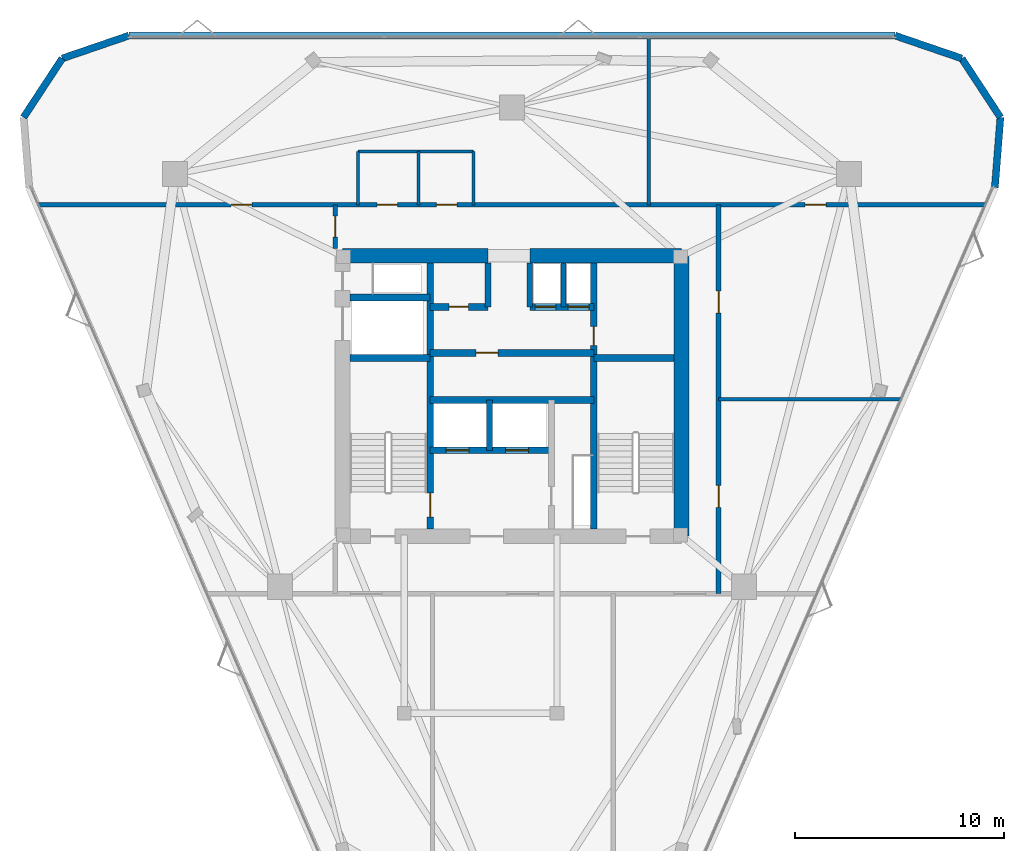
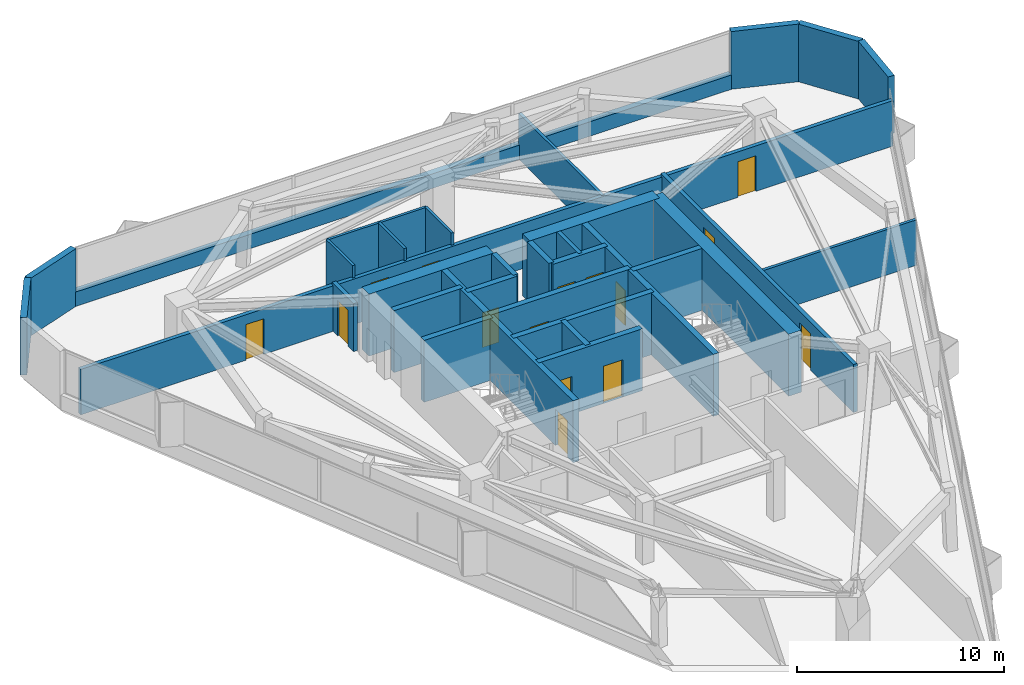
# One storey, part 9 of 11: 32 walls, 15 doors, 15 openings.
"""IFC4 building model written with IfcOpenShell, lengths in metres."""

import ifcopenshell
import ifcopenshell.guid

model = None  # the IFC model being written
_history = None  # IfcOwnerHistory: only IFC2X3 demands one
_inside = {}  # id of a spatial element -> (the spatial element, [elements in it])
_under = {}  # id of a project, library or spatial element -> (it, [spatial elements below it])
_declared = {}  # id of a project -> (the project, [libraries it declares])
_typed = {}  # id of a type object -> (the type object, [elements of that type])
_made_of = {}  # id of a material, layer set ... -> (it, [elements and type objects made of it])


def new_model(schema):
    """Start an empty IFC model of exactly this schema.

    Asked for "IFC4X3", IfcOpenShell would pick the latest addendum, in which some entities
    have other attributes; the version numbers below select the first issue.
    IFC2X3 requires an IfcOwnerHistory on every rooted entity: one is made here for all.
    """
    global model, _history
    if schema == "IFC4X3":
        model = ifcopenshell.file(schema_version=(4, 3, 0, 0))
    else:
        model = ifcopenshell.file(schema=schema)
    _inside.clear()
    _under.clear()
    _declared.clear()
    _typed.clear()
    _made_of.clear()
    _history = None
    if model.schema == "IFC2X3":
        org = make("IfcOrganization", Name="unknown")
        user = make(
            "IfcPersonAndOrganization",
            ThePerson=make("IfcPerson", FamilyName="unknown"),
            TheOrganization=org,
        )
        app = make(
            "IfcApplication",
            ApplicationDeveloper=org,
            Version="unknown",
            ApplicationFullName="unknown",
            ApplicationIdentifier="unknown",
        )
        _history = make(
            "IfcOwnerHistory",
            OwningUser=user,
            OwningApplication=app,
            ChangeAction="ADDED",
            CreationDate=0,
        )
    return model


def make(cls, **values):
    """One entity of the class cls with the attributes given. An attribute that is None is left unset."""
    return model.create_entity(
        cls, **{name: value for name, value in values.items() if value is not None}
    )


def rooted(cls, **values):
    """An entity with a GlobalId (a new one), such as an element, a storey or a relation."""
    return make(cls, GlobalId=ifcopenshell.guid.new(), OwnerHistory=_history, **values)


def si_unit(unit_type, name, prefix=None):
    """IfcSIUnit, for example si_unit("LENGTHUNIT", "METRE", prefix="MILLI")."""
    return make("IfcSIUnit", UnitType=unit_type, Prefix=prefix, Name=name)


def assignment(units):
    """IfcUnitAssignment: the units of a project."""
    return None if units is None else make("IfcUnitAssignment", Units=units)


def point(xyz):
    """IfcCartesianPoint."""
    return None if xyz is None else make("IfcCartesianPoint", Coordinates=xyz)


def direction(xyz):
    """IfcDirection."""
    return None if xyz is None else make("IfcDirection", DirectionRatios=xyz)


def frame(location, z_axis=None, x_axis=None):
    """IfcAxis2Placement3D, a coordinate frame: its origin and axes. An axis left out is left unset."""
    return make(
        "IfcAxis2Placement3D",
        Location=point(location),
        Axis=direction(z_axis),
        RefDirection=direction(x_axis),
    )


def frame_2d(location, x_axis=None):
    """IfcAxis2Placement2D, a coordinate frame in the plane: its origin and x axis."""
    return make(
        "IfcAxis2Placement2D", Location=point(location), RefDirection=direction(x_axis)
    )


def origin():
    """The frame at (0, 0, 0) with its axes left unset."""
    return frame((0.0, 0.0, 0.0))


def place(relative_to, where):
    """IfcLocalPlacement: puts the frame where relative to a parent placement (None: the world)."""
    return make(
        "IfcLocalPlacement", PlacementRelTo=relative_to, RelativePlacement=where
    )


def context(
    kind, dimensions, precision=None, world=None, true_north=None, identifier=None
):
    """IfcGeometricRepresentationContext, for example the 3D "Model" context."""
    return make(
        "IfcGeometricRepresentationContext",
        ContextIdentifier=identifier,
        ContextType=kind,
        CoordinateSpaceDimension=dimensions,
        Precision=precision,
        WorldCoordinateSystem=world,
        TrueNorth=true_north,
    )


def subcontext(parent, identifier, kind, view, scale=None):
    """IfcGeometricRepresentationSubContext, for example "Body" below "Model"."""
    return make(
        "IfcGeometricRepresentationSubContext",
        ContextIdentifier=identifier,
        ContextType=kind,
        ParentContext=parent,
        TargetScale=scale,
        TargetView=view,
    )


def project(units=None, contexts=None):
    """IfcProject with its units and contexts."""
    return rooted(
        "IfcProject",
        Name="project",
        RepresentationContexts=contexts,
        UnitsInContext=assignment(units),
    )


def spatial(cls, under=None, at=None, **own):
    """A site, building, storey or space (cls), placed at a placement, below another one or the project."""
    s = rooted(cls, ObjectPlacement=at, **own)
    if under is not None:
        _under.setdefault(under.id(), (under, []))[1].append(s)
    return s


def profile(cls, at=None, kind="AREA", **sizes):
    """A parametric profile (cls). Its sizes go by their IFC names, for example OverallWidth=200.0."""
    return make(cls, ProfileType=kind, Position=at, **sizes)


def rectangle(**sizes):
    """IfcRectangleProfileDef."""
    return profile("IfcRectangleProfileDef", **sizes)


def extrude(swept, where, along, depth):
    """IfcExtrudedAreaSolid: the profile swept, set in the frame where, extruded along a direction by depth."""
    return make(
        "IfcExtrudedAreaSolid",
        SweptArea=swept,
        Position=where,
        ExtrudedDirection=direction(along),
        Depth=depth,
    )


def shape(context_of_items, identifier, shape_type, items):
    """IfcShapeRepresentation: the items that make up one representation, for example the "Body"."""
    return make(
        "IfcShapeRepresentation",
        ContextOfItems=context_of_items,
        RepresentationIdentifier=identifier,
        RepresentationType=shape_type,
        Items=items,
    )


def material(Name=None, Category=None):
    """IfcMaterial."""
    return make("IfcMaterial", Name=Name, Category=Category)


def layer(
    of_material, thickness, ventilated=None, Name=None, Category=None, Priority=None
):
    """IfcMaterialLayer: one layer of a wall or slab, of a material (None: an air gap)."""
    return make(
        "IfcMaterialLayer",
        Material=of_material,
        LayerThickness=thickness,
        IsVentilated=ventilated,
        Name=Name,
        Category=Category,
        Priority=Priority,
    )


def layer_set(layers, Name=None):
    """IfcMaterialLayerSet."""
    return make("IfcMaterialLayerSet", MaterialLayers=layers, LayerSetName=Name)


def made_of(thing, what):
    """Note that an element or type object is made of a material, layer set ...; save() writes the relation."""
    if what is not None:
        _made_of.setdefault(what.id(), (what, []))[1].append(thing)
    return thing


def type_object(cls, material=None, **own):
    """A type object (cls), such as IfcWallType, which elements share."""
    return made_of(rooted(cls, **own), material)


def element(
    cls,
    number,
    at=None,
    inside=None,
    cuts=None,
    type_object=None,
    material=None,
    context=None,
    identifier="Body",
    shape_type=None,
    held_by="IfcProductDefinitionShape",
    body=None,
    shapes=None,
    **own,
):
    """One element of the class cls, such as IfcWall. Its Tag is "e" and its number.

    at: its placement. inside: the storey or other place that contains it. cuts: it is an
    opening in that element (IfcRelVoidsElement). A single representation is given by context,
    identifier, shape_type and body (its items); several are given by shapes. held_by: the class
    of the entity that holds the representations. save() writes the other relations.
    """
    e = rooted(cls, Tag="e%d" % number, ObjectPlacement=at, **own)
    if body is not None:
        shapes = [shape(context, identifier, shape_type, body)]
    if shapes is not None:
        e.Representation = make(held_by, Representations=shapes)
    if inside is not None:
        _inside.setdefault(inside.id(), (inside, []))[1].append(e)
    if cuts is not None:
        rooted(
            "IfcRelVoidsElement", RelatingBuildingElement=cuts, RelatedOpeningElement=e
        )
    if type_object is not None:
        _typed.setdefault(type_object.id(), (type_object, []))[1].append(e)
    return made_of(e, material)


def fill(opening, filler):
    """IfcRelFillsElement: the door or window that sits in an opening."""
    return rooted(
        "IfcRelFillsElement",
        RelatingOpeningElement=opening,
        RelatedBuildingElement=filler,
    )


def aggregate(whole, parts):
    """IfcRelAggregates: a whole, such as a stair, and the parts it consists of."""
    return rooted("IfcRelAggregates", RelatingObject=whole, RelatedObjects=parts)


def save(model, path):
    """Write the relations noted so far, then the file.

    IfcRelAggregates (storeys below a building ...), IfcRelContainedInSpatialStructure (elements
    in a storey), IfcRelDefinesByType, IfcRelAssociatesMaterial and IfcRelDeclares: one each for
    every whole, place, type object, material and project.
    """
    for whole, parts in _under.values():
        aggregate(whole, parts)
    for where, things in _inside.values():
        rooted(
            "IfcRelContainedInSpatialStructure",
            RelatedElements=things,
            RelatingStructure=where,
        )
    for kind, things in _typed.values():
        rooted("IfcRelDefinesByType", RelatedObjects=things, RelatingType=kind)
    for what, things in _made_of.values():
        rooted("IfcRelAssociatesMaterial", RelatedObjects=things, RelatingMaterial=what)
    for by, libraries in _declared.values():
        rooted("IfcRelDeclares", RelatingContext=by, RelatedDefinitions=libraries)
    model.write(path)


model = new_model("IFC4")

# Units and contexts
model_context = context("Model", 3, precision=1e-05, world=origin(), true_north=direction((0.0, 1.0)))
body_context = subcontext(model_context, "Body", "Model", "MODEL_VIEW")
ifc_project = project(units=[si_unit("LENGTHUNIT", "METRE"), si_unit("AREAUNIT", "SQUARE_METRE"), si_unit("VOLUMEUNIT", "CUBIC_METRE"), si_unit("PLANEANGLEUNIT", "RADIAN"), si_unit("MASSUNIT", "GRAM", prefix="KILO")], contexts=[model_context])

# Site, building, storey
site_placement = place(None, origin())
site = spatial("IfcSite", under=ifc_project, at=site_placement, CompositionType="ELEMENT")
building_placement = place(site_placement, origin())
building = spatial("IfcBuilding", under=site, at=building_placement, Name="Talyreon Biosciences Tower", CompositionType="ELEMENT")
storey_placement = place(building_placement, frame((0.0, 0.0, 249.85009765625)))
storey = spatial("IfcBuildingStorey", under=building, at=storey_placement, Name="L66", CompositionType="ELEMENT", Elevation=249.85009765625)

# Walls
ifc_material_1 = material(Name="Concrete C50/60", Category="concrete")
ifc_layer_1 = layer(ifc_material_1, 0.219970703125)
ifc_layer_set_1 = layer_set([ifc_layer_1], Name="Concrete C50/60")
wall_type_1 = type_object("IfcWallType", Name="CoreShearWall_220", PredefinedType="SHEAR", material=ifc_layer_set_1)
wall_1_placement = place(storey_placement, frame((68.4599609375, 72.25, 0.0), z_axis=(0.0, 0.0, 1.0), x_axis=(0.0, 1.0, 0.0)))
element("IfcWall", 1, at=wall_1_placement, inside=storey, type_object=wall_type_1, Name="L66 Core Shaft Wall SWPHD", PredefinedType="SHEAR", context=body_context, shape_type="SweptSolid", body=[
    extrude(rectangle(XDim=2.10009765625, YDim=0.219970703125, at=frame_2d((1.050048828125, 0.0))), origin(), (0.0, 0.0, 1.0), 3.64990234375),
])
ifc_layer_2 = layer(ifc_material_1, 0.280029296875)
ifc_layer_set_2 = layer_set([ifc_layer_2], Name="Concrete C50/60")
wall_type_2 = type_object("IfcWallType", Name="CoreShearWall_280", PredefinedType="SHEAR", material=ifc_layer_set_2)
wall_2_placement = place(storey_placement, frame((64.919921875, 65.39990234375, 0.0), z_axis=(0.0, 0.0, 1.0), x_axis=(0.0, 1.0, 0.0)))
element("IfcWall", 2, at=wall_2_placement, inside=storey, type_object=wall_type_2, Name="L66 Core Shaft Wall SWSHD1", PredefinedType="SHEAR", context=body_context, shape_type="SweptSolid", body=[
    extrude(rectangle(XDim=2.400146484375, YDim=0.280029296875, at=frame_2d((1.2001953125, 0.0))), origin(), (0.0, 0.0, 1.0), 3.64990234375),
])
for number, where, z_axis, x_axis, name in (
    (3, (64.85009765625, 72.25, 0.0), (0.0, 0.0, 1.0), (0.0, 1.0, 0.0), "L66 Core Shaft Wall SWTHW"),
    (4, (66.85009765625, 72.25, 0.0), (0.0, 0.0, 1.0), (0.0, 1.0, 0.0), "L66 Core Shaft Wall SWTHE"),
):
    element("IfcWall", number, at=place(storey_placement, frame(where, z_axis=z_axis, x_axis=x_axis)), inside=storey, type_object=wall_type_2, Name=name, PredefinedType="SHEAR", context=body_context, shape_type="SweptSolid", body=[
        extrude(rectangle(XDim=2.10009765625, YDim=0.280029296875, at=frame_2d((1.050048828125, 0.0))), origin(), (0.0, 0.0, 1.0), 3.64990234375),
    ])

# Wall, opening, door
ifc_layer_3 = layer(ifc_material_1, 0.320068359375)
ifc_layer_set_3 = layer_set([ifc_layer_3], Name="Concrete C50/60")
wall_type_3 = type_object("IfcWallType", Name="CoreShearWall_320", PredefinedType="SHEAR", material=ifc_layer_set_3)
wall_3_placement = place(storey_placement, frame((62.090087890625, 61.64990234375, 0.0), z_axis=(0.0, 0.0, 1.0), x_axis=(0.0, 1.0, 0.0)))
wall_3 = element("IfcWall", 5, at=wall_3_placement, inside=storey, type_object=wall_type_3, Name="L66 Core Shaft Wall SW1E", PredefinedType="SHEAR", context=body_context, shape_type="SweptSolid", body=[
    extrude(rectangle(XDim=12.7001953125, YDim=0.320068359375, at=frame_2d((6.35009765625, 0.0))), origin(), (0.0, 0.0, 1.0), 3.64990234375),
])
opening_1_placement = place(wall_3_placement, frame((0.550048828125, 0.0, 0.0)))
opening_1 = element("IfcOpeningElement", 6, at=opening_1_placement, cuts=wall_3, Name="Opening DR-L66-FF-ST1", PredefinedType="OPENING", context=body_context, shape_type="SweptSolid", body=[
    extrude(rectangle(XDim=1.14990234375, YDim=2.14990234375, at=frame_2d((0.574951171875, 1.074951171875))), frame((0.0, 0.169921875, 0.0), z_axis=(0.0, -1.0, 0.0), x_axis=(1.0, 0.0, 0.0)), (0.0, 0.0, 1.0), 0.340087890625),
])
ifc_material_2 = material(Name="Painted steel fire door", Category="steel")
door_type_1 = type_object("IfcDoorType", Name="StairShaftFireDoor_1150x2150", OperationType="NOTDEFINED", PredefinedType="DOOR", material=ifc_material_2)
door_1_placement = place(opening_1_placement, origin())
door_1 = element("IfcDoor", 7, at=door_1_placement, inside=storey, type_object=door_type_1, Name="L66 Core Door DR-L66-FF-ST1", OperationType="SINGLE_SWING_LEFT", OverallHeight=2.14990234375, OverallWidth=1.14990234375, PredefinedType="DOOR", context=body_context, shape_type="SweptSolid", body=[
    extrude(rectangle(XDim=1.14990234375, YDim=2.14990234375, at=frame_2d((0.574951171875, 1.074951171875))), frame((0.0, 0.02490234375, 0.0), z_axis=(0.0, -1.0, 0.0), x_axis=(1.0, 0.0, 0.0)), (0.0, 0.0, 1.0), 0.050048828125),
])
fill(opening_1, door_1)

wall_4_placement = place(storey_placement, frame((69.909912109375, 61.64990234375, 0.0), z_axis=(0.0, 0.0, 1.0), x_axis=(0.0, 1.0, 0.0)))
wall_4 = element("IfcWall", 8, at=wall_4_placement, inside=storey, type_object=wall_type_3, Name="L66 Core Shaft Wall SW2W", PredefinedType="SHEAR", context=body_context, shape_type="SweptSolid", body=[
    extrude(rectangle(XDim=12.7001953125, YDim=0.320068359375, at=frame_2d((6.35009765625, 0.0))), origin(), (0.0, 0.0, 1.0), 3.64990234375),
])
opening_2_placement = place(wall_4_placement, frame((8.75, 0.0, 0.0)))
opening_2 = element("IfcOpeningElement", 9, at=opening_2_placement, cuts=wall_4, Name="Opening DR-L66-CSRV", PredefinedType="OPENING", context=body_context, shape_type="SweptSolid", body=[
    extrude(rectangle(XDim=0.919921875, YDim=2.050048828125, at=frame_2d((0.4599609375, 1.02490234375))), frame((0.0, 0.169921875, 0.0), z_axis=(0.0, -1.0, 0.0), x_axis=(1.0, 0.0, 0.0)), (0.0, 0.0, 1.0), 0.340087890625),
])
ifc_material_3 = material(Name="Painted steel fire-rated riser door", Category="steel")
door_type_2 = type_object("IfcDoorType", Name="RiserPlantAccessDoor_920x2050", OperationType="NOTDEFINED", PredefinedType="DOOR", material=ifc_material_3)
door_2_placement = place(opening_2_placement, origin())
door_2 = element("IfcDoor", 10, at=door_2_placement, inside=storey, type_object=door_type_2, Name="L66 Core Door DR-L66-CSRV", OperationType="SINGLE_SWING_RIGHT", OverallHeight=2.050048828125, OverallWidth=0.919921875, PredefinedType="DOOR", context=body_context, shape_type="SweptSolid", body=[
    extrude(rectangle(XDim=0.919921875, YDim=2.050048828125, at=frame_2d((0.4599609375, 1.02490234375))), frame((0.0, 0.02490234375, 0.0), z_axis=(0.0, -1.0, 0.0), x_axis=(1.0, 0.0, 0.0)), (0.0, 0.0, 1.0), 0.050048828125),
])
fill(opening_2, door_2)

# Walls
for number, where, z_axis, x_axis, name in (
    (11, (58.25, 69.81005859375, 0.0), (0.0, 0.0, 1.0), (1.0, 0.0, 0.0), "L66 Core Shaft Wall SW1N"),
    (12, (69.909912109375, 69.81005859375, 0.0), (0.0, 0.0, 1.0), (1.0, 0.0, 0.0), "L66 Core Shaft Wall SW2N"),
    (13, (58.25, 72.699951171875, 0.0), (0.0, 0.0, 1.0), (1.0, 0.0, 0.0), "L66 Core Shaft Wall SWGLN"),
):
    element("IfcWall", number, at=place(storey_placement, frame(where, z_axis=z_axis, x_axis=x_axis)), inside=storey, type_object=wall_type_3, Name=name, PredefinedType="SHEAR", context=body_context, shape_type="SweptSolid", body=[
        extrude(rectangle(XDim=3.840087890625, YDim=0.320068359375, at=frame_2d((1.919921875, 0.0))), origin(), (0.0, 0.0, 1.0), 3.64990234375),
    ])
wall_5_placement = place(storey_placement, frame((62.090087890625, 67.800048828125, 0.0), z_axis=(0.0, 0.0, 1.0), x_axis=(1.0, 0.0, 0.0)))
element("IfcWall", 14, at=wall_5_placement, inside=storey, type_object=wall_type_3, Name="L66 Core Shaft Wall SWSHM", PredefinedType="SHEAR", context=body_context, shape_type="SweptSolid", body=[
    extrude(rectangle(XDim=7.81982421875, YDim=0.320068359375, at=frame_2d((3.909912109375, 0.0))), origin(), (0.0, 0.0, 1.0), 3.64990234375),
])

# Wall, opening, door
wall_6_placement = place(storey_placement, frame((62.090087890625, 70.050048828125, 0.0), z_axis=(0.0, 0.0, 1.0), x_axis=(1.0, 0.0, 0.0)))
wall_6 = element("IfcWall", 15, at=wall_6_placement, inside=storey, type_object=wall_type_3, Name="L66 Core Shaft Wall SWSPN", PredefinedType="SHEAR", context=body_context, shape_type="SweptSolid", body=[
    extrude(rectangle(XDim=7.81982421875, YDim=0.320068359375, at=frame_2d((3.909912109375, 0.0))), origin(), (0.0, 0.0, 1.0), 3.64990234375),
])
opening_3_placement = place(wall_6_placement, frame((2.199951171875, 0.0, 0.0)))
opening_3 = element("IfcOpeningElement", 16, at=opening_3_placement, cuts=wall_6, Name="Opening DR-L66-PLPMFREE", PredefinedType="OPENING", context=body_context, shape_type="SweptSolid", body=[
    extrude(rectangle(XDim=1.050048828125, YDim=2.14990234375, at=frame_2d((0.52490234375, 1.074951171875))), frame((0.0, 0.169921875, 0.0), z_axis=(0.0, -1.0, 0.0), x_axis=(1.0, 0.0, 0.0)), (0.0, 0.0, 1.0), 0.340087890625),
])
ifc_material_4 = material(Name="Acoustic timber-core laboratory door", Category="wood")
door_type_3 = type_object("IfcDoorType", Name="DryLabSingleDoor_1050x2150", OperationType="NOTDEFINED", PredefinedType="DOOR", material=ifc_material_4)
door_3_placement = place(opening_3_placement, origin())
door_3 = element("IfcDoor", 17, at=door_3_placement, inside=storey, type_object=door_type_3, Name="L66 Core Door DR-L66-PLPMFREE", OperationType="SINGLE_SWING_LEFT", OverallHeight=2.14990234375, OverallWidth=1.050048828125, PredefinedType="DOOR", context=body_context, shape_type="SweptSolid", body=[
    extrude(rectangle(XDim=1.050048828125, YDim=2.14990234375, at=frame_2d((0.52490234375, 1.074951171875))), frame((0.0, 0.02490234375, 0.0), z_axis=(0.0, -1.0, 0.0), x_axis=(1.0, 0.0, 0.0)), (0.0, 0.0, 1.0), 0.050048828125),
])
fill(opening_3, door_3)

wall_7_placement = place(storey_placement, frame((62.090087890625, 72.25, 0.0), z_axis=(0.0, 0.0, 1.0), x_axis=(1.0, 0.0, 0.0)))
wall_7 = element("IfcWall", 18, at=wall_7_placement, inside=storey, type_object=wall_type_3, Name="L66 Core Shaft Wall SWNPW", PredefinedType="SHEAR", context=body_context, shape_type="SweptSolid", body=[
    extrude(rectangle(XDim=2.760009765625, YDim=0.320068359375, at=frame_2d((1.3798828125, 0.0))), origin(), (0.0, 0.0, 1.0), 3.64990234375),
])
opening_4_placement = place(wall_7_placement, frame((0.89990234375, 0.0, 0.0)))
opening_4 = element("IfcOpeningElement", 19, at=opening_4_placement, cuts=wall_7, Name="Opening DR-L66-PM2FREE", PredefinedType="OPENING", context=body_context, shape_type="SweptSolid", body=[
    extrude(rectangle(XDim=0.919921875, YDim=2.050048828125, at=frame_2d((0.4599609375, 1.02490234375))), frame((0.0, 0.169921875, 0.0), z_axis=(0.0, -1.0, 0.0), x_axis=(1.0, 0.0, 0.0)), (0.0, 0.0, 1.0), 0.340087890625),
])
door_4_placement = place(opening_4_placement, origin())
door_4 = element("IfcDoor", 20, at=door_4_placement, inside=storey, type_object=door_type_2, Name="L66 Core Door DR-L66-PM2FREE", OperationType="SINGLE_SWING_RIGHT", OverallHeight=2.050048828125, OverallWidth=0.919921875, PredefinedType="DOOR", context=body_context, shape_type="SweptSolid", body=[
    extrude(rectangle(XDim=0.919921875, YDim=2.050048828125, at=frame_2d((0.4599609375, 1.02490234375))), frame((0.0, 0.02490234375, 0.0), z_axis=(0.0, -1.0, 0.0), x_axis=(1.0, 0.0, 0.0)), (0.0, 0.0, 1.0), 0.050048828125),
])
fill(opening_4, door_4)

# Wall, openings, doors
wall_8_placement = place(storey_placement, frame((66.85009765625, 72.25, 0.0), z_axis=(0.0, 0.0, 1.0), x_axis=(1.0, 0.0, 0.0)))
wall_8 = element("IfcWall", 21, at=wall_8_placement, inside=storey, type_object=wall_type_3, Name="L66 Core Shaft Wall SWNPE", PredefinedType="SHEAR", context=body_context, shape_type="SweptSolid", body=[
    extrude(rectangle(XDim=3.059814453125, YDim=0.320068359375, at=frame_2d((1.52978515625, 0.0))), origin(), (0.0, 0.0, 1.0), 3.64990234375),
])
opening_5_placement = place(wall_8_placement, frame((0.25, 0.0, 0.0)))
opening_5 = element("IfcOpeningElement", 22, at=opening_5_placement, cuts=wall_8, Name="Opening LD-L66-PH1", PredefinedType="OPENING", context=body_context, shape_type="SweptSolid", body=[
    extrude(rectangle(XDim=1.0, YDim=2.199951171875, at=frame_2d((0.5, 1.10009765625))), frame((0.0, 0.169921875, 0.0), z_axis=(0.0, -1.0, 0.0), x_axis=(1.0, 0.0, 0.0)), (0.0, 0.0, 1.0), 0.340087890625),
])
opening_6_placement = place(wall_8_placement, frame((1.820068359375, 0.0, 0.0)))
opening_6 = element("IfcOpeningElement", 23, at=opening_6_placement, cuts=wall_8, Name="Opening LD-L66-PH2", PredefinedType="OPENING", context=body_context, shape_type="SweptSolid", body=[
    extrude(rectangle(XDim=1.0, YDim=2.199951171875, at=frame_2d((0.5, 1.10009765625))), frame((0.0, 0.169921875, 0.0), z_axis=(0.0, -1.0, 0.0), x_axis=(1.0, 0.0, 0.0)), (0.0, 0.0, 1.0), 0.340087890625),
])
ifc_material_5 = material(Name="Brushed stainless-steel lift landing door", Category="steel")
door_type_4 = type_object("IfcDoorType", Name="LiftSlidingLandingDoor_1100x2200", OperationType="SLIDING_TO_LEFT", PredefinedType="DOOR", material=ifc_material_5)
door_5_placement = place(opening_5_placement, origin())
door_5 = element("IfcDoor", 24, at=door_5_placement, inside=storey, type_object=door_type_4, Name="L66 Core Door LD-L66-PH1", OperationType="SLIDING_TO_LEFT", OverallHeight=2.199951171875, OverallWidth=1.0, PredefinedType="DOOR", context=body_context, shape_type="SweptSolid", body=[
    extrude(rectangle(XDim=1.0, YDim=2.199951171875, at=frame_2d((0.5, 1.10009765625))), frame((0.0, 0.02490234375, 0.0), z_axis=(0.0, -1.0, 0.0), x_axis=(1.0, 0.0, 0.0)), (0.0, 0.0, 1.0), 0.050048828125),
])
fill(opening_5, door_5)
door_6_placement = place(opening_6_placement, origin())
door_6 = element("IfcDoor", 25, at=door_6_placement, inside=storey, type_object=door_type_4, Name="L66 Core Door LD-L66-PH2", OperationType="SLIDING_TO_LEFT", OverallHeight=2.199951171875, OverallWidth=1.0, PredefinedType="DOOR", context=body_context, shape_type="SweptSolid", body=[
    extrude(rectangle(XDim=1.0, YDim=2.199951171875, at=frame_2d((0.5, 1.10009765625))), frame((0.0, 0.02490234375, 0.0), z_axis=(0.0, -1.0, 0.0), x_axis=(1.0, 0.0, 0.0)), (0.0, 0.0, 1.0), 0.050048828125),
])
fill(opening_6, door_6)

wall_9_placement = place(storey_placement, frame((62.090087890625, 65.39990234375, 0.0), z_axis=(0.0, 0.0, 1.0), x_axis=(1.0, 0.0, 0.0)))
wall_9 = element("IfcWall", 26, at=wall_9_placement, inside=storey, type_object=wall_type_3, Name="L66 Core Shaft Wall SWFFN", PredefinedType="SHEAR", context=body_context, shape_type="SweptSolid", body=[
    extrude(rectangle(XDim=5.789794921875, YDim=0.320068359375, at=frame_2d((2.89501953125, 0.0))), origin(), (0.0, 0.0, 1.0), 3.64990234375),
])
opening_7_placement = place(wall_9_placement, frame((0.75, 0.0, 0.0)))
opening_7 = element("IfcOpeningElement", 27, at=opening_7_placement, cuts=wall_9, Name="Opening LD-L66-FL1", PredefinedType="OPENING", context=body_context, shape_type="SweptSolid", body=[
    extrude(rectangle(XDim=1.10009765625, YDim=2.199951171875, at=frame_2d((0.550048828125, 1.10009765625))), frame((0.0, 0.169921875, 0.0), z_axis=(0.0, -1.0, 0.0), x_axis=(1.0, 0.0, 0.0)), (0.0, 0.0, 1.0), 0.340087890625),
])
opening_8_placement = place(wall_9_placement, frame((3.60009765625, 0.0, 0.0)))
opening_8 = element("IfcOpeningElement", 28, at=opening_8_placement, cuts=wall_9, Name="Opening LD-L66-FL2", PredefinedType="OPENING", context=body_context, shape_type="SweptSolid", body=[
    extrude(rectangle(XDim=1.10009765625, YDim=2.199951171875, at=frame_2d((0.550048828125, 1.10009765625))), frame((0.0, 0.169921875, 0.0), z_axis=(0.0, -1.0, 0.0), x_axis=(1.0, 0.0, 0.0)), (0.0, 0.0, 1.0), 0.340087890625),
])
door_7_placement = place(opening_7_placement, origin())
door_7 = element("IfcDoor", 29, at=door_7_placement, inside=storey, type_object=door_type_4, Name="L66 Core Door LD-L66-FL1", OperationType="SLIDING_TO_LEFT", OverallHeight=2.199951171875, OverallWidth=1.10009765625, PredefinedType="DOOR", context=body_context, shape_type="SweptSolid", body=[
    extrude(rectangle(XDim=1.10009765625, YDim=2.199951171875, at=frame_2d((0.550048828125, 1.10009765625))), frame((0.0, 0.02490234375, 0.0), z_axis=(0.0, -1.0, 0.0), x_axis=(1.0, 0.0, 0.0)), (0.0, 0.0, 1.0), 0.050048828125),
])
fill(opening_7, door_7)
door_8_placement = place(opening_8_placement, origin())
door_8 = element("IfcDoor", 30, at=door_8_placement, inside=storey, type_object=door_type_4, Name="L66 Core Door LD-L66-FL2", OperationType="SLIDING_TO_LEFT", OverallHeight=2.199951171875, OverallWidth=1.10009765625, PredefinedType="DOOR", context=body_context, shape_type="SweptSolid", body=[
    extrude(rectangle(XDim=1.10009765625, YDim=2.199951171875, at=frame_2d((0.550048828125, 1.10009765625))), frame((0.0, 0.02490234375, 0.0), z_axis=(0.0, -1.0, 0.0), x_axis=(1.0, 0.0, 0.0)), (0.0, 0.0, 1.0), 0.050048828125),
])
fill(opening_8, door_8)

# Walls
ifc_layer_4 = layer(ifc_material_1, 0.699951171875)
ifc_layer_set_4 = layer_set([ifc_layer_4], Name="Concrete C50/60")
wall_type_4 = type_object("IfcWallType", Name="CoreShearWall_700", PredefinedType="SHEAR", material=ifc_layer_set_4)
wall_10_placement = place(storey_placement, frame((74.10009765625, 61.300048828125, 0.0), z_axis=(0.0, 0.0, 1.0), x_axis=(0.0, 1.0, 0.0)))
element("IfcWall", 31, at=wall_10_placement, inside=storey, type_object=wall_type_4, Name="L66 Core Shear Wall E", PredefinedType="SHEAR", context=body_context, shape_type="SweptSolid", body=[
    extrude(rectangle(XDim=13.39990234375, YDim=0.699951171875, at=frame_2d((6.699951171875, 0.0))), origin(), (0.0, 0.0, 1.0), 3.64990234375),
])
wall_11_placement = place(storey_placement, frame((74.10009765625, 74.699951171875, 0.0), z_axis=(0.0, 0.0, 1.0), x_axis=(-1.0, 0.0, 0.0)))
element("IfcWall", 32, at=wall_11_placement, inside=storey, type_object=wall_type_4, Name="L66 Core Shear Wall NE", PredefinedType="SHEAR", context=body_context, shape_type="SweptSolid", body=[
    extrude(rectangle(XDim=7.25, YDim=0.699951171875, at=frame_2d((3.625, 0.0))), origin(), (0.0, 0.0, 1.0), 3.64990234375),
])
wall_12_placement = place(storey_placement, frame((64.85009765625, 74.699951171875, 0.0), z_axis=(0.0, 0.0, 1.0), x_axis=(-1.0, 0.0, 0.0)))
element("IfcWall", 33, at=wall_12_placement, inside=storey, type_object=wall_type_4, Name="L66 Core Shear Wall NW", PredefinedType="SHEAR", context=body_context, shape_type="SweptSolid", body=[
    extrude(rectangle(XDim=6.9501953125, YDim=0.699951171875, at=frame_2d((3.47509765625, 0.0))), origin(), (0.0, 0.0, 1.0), 3.64990234375),
])

# Wall, openings, doors
ifc_material_6 = material(Name="Gypsum fireboard acoustic stud", Category="gypsum")
ifc_layer_5 = layer(ifc_material_6, 0.219970703125)
ifc_layer_set_5 = layer_set([ifc_layer_5], Name="Gypsum fireboard acoustic stud")
wall_type_5 = type_object("IfcWallType", Name="CorridorRatedPartition_220", PredefinedType="PARTITIONING", material=ifc_layer_set_5)
wall_13_placement = place(storey_placement, frame((43.372802734375, 77.1298828125, 0.0), z_axis=(0.0, 0.0, 1.0), x_axis=(1.0, 0.0, 0.0)))
wall_13 = element("IfcWall", 34, at=wall_13_placement, inside=storey, type_object=wall_type_5, Name="L66 Interior Wall IW-L66-COR-N", PredefinedType="PARTITIONING", context=body_context, shape_type="SweptSolid", body=[
    extrude(rectangle(XDim=45.25439453125, YDim=0.219970703125, at=frame_2d((22.627197265625, 0.0))), origin(), (0.0, 0.0, 1.0), 2.679931640625),
])
opening_9_placement = place(wall_13_placement, frame((16.18701171875, 0.0, 0.0)))
opening_9 = element("IfcOpeningElement", 35, at=opening_9_placement, cuts=wall_13, Name="Opening DR-L66-WC", PredefinedType="OPENING", context=body_context, shape_type="SweptSolid", body=[
    extrude(rectangle(XDim=0.97998046875, YDim=2.10009765625, at=frame_2d((0.489990234375, 1.050048828125))), frame((0.0, 0.119873046875, 0.0), z_axis=(0.0, -1.0, 0.0), x_axis=(1.0, 0.0, 0.0)), (0.0, 0.0, 1.0), 0.239990234375),
])
opening_10_placement = place(wall_13_placement, frame((19.011962890625, 0.0, 0.0)))
opening_10 = element("IfcOpeningElement", 36, at=opening_10_placement, cuts=wall_13, Name="Opening DR-L66-AWC", PredefinedType="OPENING", context=body_context, shape_type="SweptSolid", body=[
    extrude(rectangle(XDim=0.97998046875, YDim=2.10009765625, at=frame_2d((0.489990234375, 1.050048828125))), frame((0.0, 0.119873046875, 0.0), z_axis=(0.0, -1.0, 0.0), x_axis=(1.0, 0.0, 0.0)), (0.0, 0.0, 1.0), 0.239990234375),
])
opening_11_placement = place(wall_13_placement, frame((9.199951171875, 0.0, 0.0)))
opening_11 = element("IfcOpeningElement", 37, at=opening_11_placement, cuts=wall_13, Name="Opening DR-L66-N1A", PredefinedType="OPENING", context=body_context, shape_type="SweptSolid", body=[
    extrude(rectangle(XDim=1.0, YDim=2.10009765625, at=frame_2d((0.5, 1.050048828125))), frame((0.0, 0.119873046875, 0.0), z_axis=(0.0, -1.0, 0.0), x_axis=(1.0, 0.0, 0.0)), (0.0, 0.0, 1.0), 0.239990234375),
])
opening_12_placement = place(wall_13_placement, frame((36.632080078125, 0.0, 0.0)))
opening_12 = element("IfcOpeningElement", 38, at=opening_12_placement, cuts=wall_13, Name="Opening DR-L66-N2A", PredefinedType="OPENING", context=body_context, shape_type="SweptSolid", body=[
    extrude(rectangle(XDim=1.0, YDim=2.10009765625, at=frame_2d((0.5, 1.050048828125))), frame((0.0, 0.119873046875, 0.0), z_axis=(0.0, -1.0, 0.0), x_axis=(1.0, 0.0, 0.0)), (0.0, 0.0, 1.0), 0.239990234375),
])
ifc_material_7 = material(Name="Laminate moisture-resistant door", Category="wood")
door_type_5 = type_object("IfcDoorType", Name="AccessibleToiletDoor_980x2100", OperationType="NOTDEFINED", PredefinedType="DOOR", material=ifc_material_7)
door_9_placement = place(opening_9_placement, origin())
door_9 = element("IfcDoor", 39, at=door_9_placement, inside=storey, type_object=door_type_5, Name="L66 Interior Door DR-L66-WC", OperationType="SINGLE_SWING_RIGHT", OverallHeight=2.10009765625, OverallWidth=0.97998046875, PredefinedType="DOOR", context=body_context, shape_type="SweptSolid", body=[
    extrude(rectangle(XDim=0.97998046875, YDim=2.10009765625, at=frame_2d((0.489990234375, 1.050048828125))), frame((0.0, 0.02490234375, 0.0), z_axis=(0.0, -1.0, 0.0), x_axis=(1.0, 0.0, 0.0)), (0.0, 0.0, 1.0), 0.050048828125),
])
fill(opening_9, door_9)
door_10_placement = place(opening_10_placement, origin())
door_10 = element("IfcDoor", 40, at=door_10_placement, inside=storey, type_object=door_type_5, Name="L66 Interior Door DR-L66-AWC", OperationType="SINGLE_SWING_RIGHT", OverallHeight=2.10009765625, OverallWidth=0.97998046875, PredefinedType="DOOR", context=body_context, shape_type="SweptSolid", body=[
    extrude(rectangle(XDim=0.97998046875, YDim=2.10009765625, at=frame_2d((0.489990234375, 1.050048828125))), frame((0.0, 0.02490234375, 0.0), z_axis=(0.0, -1.0, 0.0), x_axis=(1.0, 0.0, 0.0)), (0.0, 0.0, 1.0), 0.050048828125),
])
fill(opening_10, door_10)
ifc_material_8 = material(Name="Acoustic oak veneer office door", Category="wood")
door_type_6 = type_object("IfcDoorType", Name="WriteupOfficeDoor_1000x2100", OperationType="NOTDEFINED", PredefinedType="DOOR", material=ifc_material_8)
door_11_placement = place(opening_11_placement, origin())
door_11 = element("IfcDoor", 41, at=door_11_placement, inside=storey, type_object=door_type_6, Name="L66 Interior Door DR-L66-N1A", OperationType="SINGLE_SWING_LEFT", OverallHeight=2.10009765625, OverallWidth=1.0, PredefinedType="DOOR", context=body_context, shape_type="SweptSolid", body=[
    extrude(rectangle(XDim=1.0, YDim=2.10009765625, at=frame_2d((0.5, 1.050048828125))), frame((0.0, 0.02490234375, 0.0), z_axis=(0.0, -1.0, 0.0), x_axis=(1.0, 0.0, 0.0)), (0.0, 0.0, 1.0), 0.050048828125),
])
fill(opening_11, door_11)
door_12_placement = place(opening_12_placement, origin())
door_12 = element("IfcDoor", 42, at=door_12_placement, inside=storey, type_object=door_type_6, Name="L66 Interior Door DR-L66-N2A", OperationType="SINGLE_SWING_LEFT", OverallHeight=2.10009765625, OverallWidth=1.0, PredefinedType="DOOR", context=body_context, shape_type="SweptSolid", body=[
    extrude(rectangle(XDim=1.0, YDim=2.10009765625, at=frame_2d((0.5, 1.050048828125))), frame((0.0, 0.02490234375, 0.0), z_axis=(0.0, -1.0, 0.0), x_axis=(1.0, 0.0, 0.0)), (0.0, 0.0, 1.0), 0.050048828125),
])
fill(opening_12, door_12)

# Wall, opening, door
wall_14_placement = place(storey_placement, frame((57.550048828125, 75.050048828125, 0.0), z_axis=(0.0, 0.0, 1.0), x_axis=(0.0, 1.0, 0.0)))
wall_14 = element("IfcWall", 43, at=wall_14_placement, inside=storey, type_object=wall_type_5, Name="L66 Interior Wall IW-L66-WCAP-N", PredefinedType="PARTITIONING", context=body_context, shape_type="SweptSolid", body=[
    extrude(rectangle(XDim=2.079833984375, YDim=0.219970703125, at=frame_2d((1.0400390625, 0.0))), origin(), (0.0, 0.0, 1.0), 2.829833984375),
])
opening_13_placement = place(wall_14_placement, frame((0.5400390625, 0.0, 0.0)))
opening_13 = element("IfcOpeningElement", 44, at=opening_13_placement, cuts=wall_14, Name="Opening DR-L66-W1A", PredefinedType="OPENING", context=body_context, shape_type="SweptSolid", body=[
    extrude(rectangle(XDim=1.0, YDim=2.10009765625, at=frame_2d((0.5, 1.050048828125))), frame((0.0, 0.119873046875, 0.0), z_axis=(0.0, -1.0, 0.0), x_axis=(1.0, 0.0, 0.0)), (0.0, 0.0, 1.0), 0.239990234375),
])
door_13_placement = place(opening_13_placement, origin())
door_13 = element("IfcDoor", 45, at=door_13_placement, inside=storey, type_object=door_type_6, Name="L66 Interior Door DR-L66-W1A", OperationType="SINGLE_SWING_LEFT", OverallHeight=2.10009765625, OverallWidth=1.0, PredefinedType="DOOR", context=body_context, shape_type="SweptSolid", body=[
    extrude(rectangle(XDim=1.0, YDim=2.10009765625, at=frame_2d((0.5, 1.050048828125))), frame((0.0, 0.02490234375, 0.0), z_axis=(0.0, -1.0, 0.0), x_axis=(1.0, 0.0, 0.0)), (0.0, 0.0, 1.0), 0.050048828125),
])
fill(opening_13, door_13)

# Wall, openings, doors
wall_15_placement = place(storey_placement, frame((75.8701171875, 58.550048828125, 0.0), z_axis=(0.0, 0.0, 1.0), x_axis=(0.0, 1.0, 0.0)))
wall_15 = element("IfcWall", 46, at=wall_15_placement, inside=storey, type_object=wall_type_5, Name="L66 Interior Wall IW-L66-COR-E", PredefinedType="PARTITIONING", context=body_context, shape_type="SweptSolid", body=[
    extrude(rectangle(XDim=18.579833984375, YDim=0.219970703125, at=frame_2d((9.2900390625, 0.0))), origin(), (0.0, 0.0, 1.0), 2.829833984375),
])
opening_14_placement = place(wall_15_placement, frame((4.1201171875, 0.0, 0.0)))
opening_14 = element("IfcOpeningElement", 47, at=opening_14_placement, cuts=wall_15, Name="Opening DR-L66-E1A", PredefinedType="OPENING", context=body_context, shape_type="SweptSolid", body=[
    extrude(rectangle(XDim=1.050048828125, YDim=2.14990234375, at=frame_2d((0.52490234375, 1.074951171875))), frame((0.0, 0.119873046875, 0.0), z_axis=(0.0, -1.0, 0.0), x_axis=(1.0, 0.0, 0.0)), (0.0, 0.0, 1.0), 0.239990234375),
])
opening_15_placement = place(wall_15_placement, frame((13.409912109375, 0.0, 0.0)))
opening_15 = element("IfcOpeningElement", 48, at=opening_15_placement, cuts=wall_15, Name="Opening DR-L66-E2A", PredefinedType="OPENING", context=body_context, shape_type="SweptSolid", body=[
    extrude(rectangle(XDim=1.050048828125, YDim=2.14990234375, at=frame_2d((0.52490234375, 1.074951171875))), frame((0.0, 0.119873046875, 0.0), z_axis=(0.0, -1.0, 0.0), x_axis=(1.0, 0.0, 0.0)), (0.0, 0.0, 1.0), 0.239990234375),
])
door_14_placement = place(opening_14_placement, origin())
door_14 = element("IfcDoor", 49, at=door_14_placement, inside=storey, type_object=door_type_3, Name="L66 Interior Door DR-L66-E1A", OperationType="SINGLE_SWING_LEFT", OverallHeight=2.14990234375, OverallWidth=1.050048828125, PredefinedType="DOOR", context=body_context, shape_type="SweptSolid", body=[
    extrude(rectangle(XDim=1.050048828125, YDim=2.14990234375, at=frame_2d((0.52490234375, 1.074951171875))), frame((0.0, 0.02490234375, 0.0), z_axis=(0.0, -1.0, 0.0), x_axis=(1.0, 0.0, 0.0)), (0.0, 0.0, 1.0), 0.050048828125),
])
fill(opening_14, door_14)
door_15_placement = place(opening_15_placement, origin())
door_15 = element("IfcDoor", 50, at=door_15_placement, inside=storey, type_object=door_type_3, Name="L66 Interior Door DR-L66-E2A", OperationType="SINGLE_SWING_RIGHT", OverallHeight=2.14990234375, OverallWidth=1.050048828125, PredefinedType="DOOR", context=body_context, shape_type="SweptSolid", body=[
    extrude(rectangle(XDim=1.050048828125, YDim=2.14990234375, at=frame_2d((0.52490234375, 1.074951171875))), frame((0.0, 0.02490234375, 0.0), z_axis=(0.0, -1.0, 0.0), x_axis=(1.0, 0.0, 0.0)), (0.0, 0.0, 1.0), 0.050048828125),
])
fill(opening_15, door_15)

# Walls
ifc_material_9 = material(Name="Gypsum acoustic stud partition", Category="gypsum")
ifc_layer_6 = layer(ifc_material_9, 0.159912109375)
ifc_layer_set_6 = layer_set([ifc_layer_6], Name="Gypsum acoustic stud partition")
wall_type_6 = type_object("IfcWallType", Name="LabSeparationPartition_160", PredefinedType="PARTITIONING", material=ifc_layer_set_6)
wall_16_placement = place(storey_placement, frame((72.531982421875, 77.1298828125, 0.0), z_axis=(0.0, 0.0, 1.0), x_axis=(0.0, 1.0, 0.0)))
element("IfcWall", 51, at=wall_16_placement, inside=storey, type_object=wall_type_6, Name="L66 Interior Wall IW-L66-NDIV1", PredefinedType="PARTITIONING", context=body_context, shape_type="SweptSolid", body=[
    extrude(rectangle(XDim=8.0029296875, YDim=0.159912109375, at=frame_2d((4.00146484375, 0.0))), origin(), (0.0, 0.0, 1.0), 2.679931640625),
])
wall_17_placement = place(storey_placement, frame((75.8701171875, 67.840087890625, 0.0), z_axis=(0.0, 0.0, 1.0), x_axis=(1.0, 0.0, 0.0)))
element("IfcWall", 52, at=wall_17_placement, inside=storey, type_object=wall_type_6, Name="L66 Interior Wall IW-L66-EDIV1", PredefinedType="PARTITIONING", context=body_context, shape_type="SweptSolid", body=[
    extrude(rectangle(XDim=8.732177734375, YDim=0.159912109375, at=frame_2d((4.3662109375, 0.0))), origin(), (0.0, 0.0, 1.0), 2.679931640625),
])
ifc_material_10 = material(Name="Precast concrete C45/55", Category="concrete")
ifc_layer_7 = layer(ifc_material_10, 0.340087890625)
ifc_layer_set_7 = layer_set([ifc_layer_7], Name="Precast concrete C45/55")
wall_type_7 = type_object("IfcWallType", Name="PrecastConcreteSpandrelWall_340", PredefinedType="STANDARD", material=ifc_layer_set_7)
wall_18_placement = place(storey_placement, frame((42.6591796875, 81.3095703125, 0.0), z_axis=(0.0, 0.0, 1.0), x_axis=(0.548851092281, 0.835920138831, 0.0)))
element("IfcWall", 53, at=wall_18_placement, inside=storey, type_object=wall_type_7, Name="L66 Rounded-Corner Concrete Pier 02", PredefinedType="STANDARD", context=body_context, shape_type="SweptSolid", body=[
    extrude(rectangle(XDim=3.36962890625, YDim=0.340087890625, at=frame_2d((1.684814453125, 0.0))), origin(), (0.0, 0.0, 1.0), 3.39990234375),
])
wall_19_placement = place(storey_placement, frame((44.508544921875, 84.126220703125, 0.0), z_axis=(0.0, 0.0, 1.0), x_axis=(0.946072263845, 0.323955662989, 0.0)))
element("IfcWall", 54, at=wall_19_placement, inside=storey, type_object=wall_type_7, Name="L66 Rounded-Corner Concrete Pier 03", PredefinedType="STANDARD", context=body_context, shape_type="SweptSolid", body=[
    extrude(rectangle(XDim=3.369384765625, YDim=0.340087890625, at=frame_2d((1.6845703125, 0.0))), origin(), (0.0, 0.0, 1.0), 3.39990234375),
])
wall_20_placement = place(storey_placement, frame((47.6962890625, 85.2177734375, 0.0), z_axis=(0.0, 0.0, 1.0), x_axis=(1.0, 0.0, 0.0)))
element("IfcWall", 55, at=wall_20_placement, inside=storey, type_object=wall_type_7, Name="L66 Expressed Concrete Sill Wall 04", PredefinedType="STANDARD", context=body_context, shape_type="SweptSolid", body=[
    extrude(rectangle(XDim=36.607421875, YDim=0.340087890625, at=frame_2d((18.3037109375, 0.0))), origin(), (0.0, 0.0, 1.0), 0.849853515625),
])
wall_21_placement = place(storey_placement, frame((84.3037109375, 85.2177734375, 0.0), z_axis=(0.0, 0.0, 1.0), x_axis=(0.946072263845, -0.323955662989, 0.0)))
element("IfcWall", 56, at=wall_21_placement, inside=storey, type_object=wall_type_7, Name="L66 Rounded-Corner Concrete Pier 05", PredefinedType="STANDARD", context=body_context, shape_type="SweptSolid", body=[
    extrude(rectangle(XDim=3.369384765625, YDim=0.340087890625, at=frame_2d((1.6845703125, 0.0))), origin(), (0.0, 0.0, 1.0), 3.39990234375),
])
wall_22_placement = place(storey_placement, frame((87.491455078125, 84.126220703125, 0.0), z_axis=(0.0, 0.0, 1.0), x_axis=(0.548851092281, -0.835920138831, 0.0)))
element("IfcWall", 57, at=wall_22_placement, inside=storey, type_object=wall_type_7, Name="L66 Rounded-Corner Concrete Pier 06", PredefinedType="STANDARD", context=body_context, shape_type="SweptSolid", body=[
    extrude(rectangle(XDim=3.36962890625, YDim=0.340087890625, at=frame_2d((1.684814453125, 0.0))), origin(), (0.0, 0.0, 1.0), 3.39990234375),
])
wall_23_placement = place(storey_placement, frame((89.3408203125, 81.3095703125, 0.0), z_axis=(0.0, 0.0, 1.0), x_axis=(-0.078835134627, -0.996887667467, 0.0)))
element("IfcWall", 58, at=wall_23_placement, inside=storey, type_object=wall_type_7, Name="L66 Rounded-Corner Concrete Pier 07", PredefinedType="STANDARD", context=body_context, shape_type="SweptSolid", body=[
    extrude(rectangle(XDim=3.369384765625, YDim=0.340087890625, at=frame_2d((1.6845703125, 0.0))), origin(), (0.0, 0.0, 1.0), 3.39990234375),
])
ifc_material_11 = material(Name="Moisture-resistant cement-board stud", Category="gypsum")
ifc_layer_8 = layer(ifc_material_11, 0.14501953125)
ifc_layer_set_8 = layer_set([ifc_layer_8], Name="Moisture-resistant cement-board stud")
wall_type_8 = type_object("IfcWallType", Name="WetRoomPartition_145", PredefinedType="PARTITIONING", material=ifc_layer_set_8)
for number, where, z_axis, x_axis, name in (
    (59, (58.64990234375, 77.1298828125, 0.0), (0.0, 0.0, 1.0), (0.0, 1.0, 0.0), "L66 Interior Wall IW-L66-WCL"),
    (60, (61.52490234375, 77.1298828125, 0.0), (0.0, 0.0, 1.0), (0.0, 1.0, 0.0), "L66 Interior Wall IW-L66-WCM"),
    (61, (64.14990234375, 77.1298828125, 0.0), (0.0, 0.0, 1.0), (0.0, 1.0, 0.0), "L66 Interior Wall IW-L66-WCR"),
):
    element("IfcWall", number, at=place(storey_placement, frame(where, z_axis=z_axis, x_axis=x_axis)), inside=storey, type_object=wall_type_8, Name=name, PredefinedType="PARTITIONING", context=body_context, shape_type="SweptSolid", body=[
        extrude(rectangle(XDim=2.550048828125, YDim=0.14501953125, at=frame_2d((1.27490234375, 0.0))), origin(), (0.0, 0.0, 1.0), 3.39990234375),
    ])
wall_24_placement = place(storey_placement, frame((58.64990234375, 79.679931640625, 0.0), z_axis=(0.0, 0.0, 1.0), x_axis=(1.0, 0.0, 0.0)))
element("IfcWall", 62, at=wall_24_placement, inside=storey, type_object=wall_type_8, Name="L66 Interior Wall IW-L66-WCT", PredefinedType="PARTITIONING", context=body_context, shape_type="SweptSolid", body=[
    extrude(rectangle(XDim=5.5, YDim=0.14501953125, at=frame_2d((2.75, 0.0))), origin(), (0.0, 0.0, 1.0), 3.39990234375),
])

save(model, "model.ifc")
